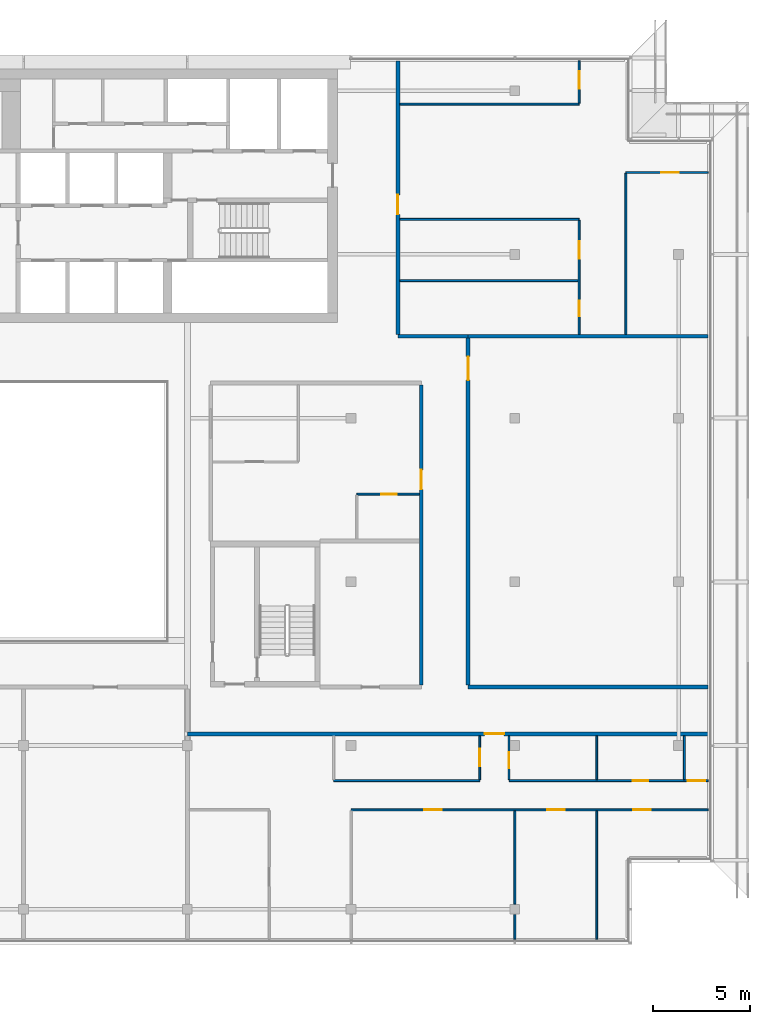
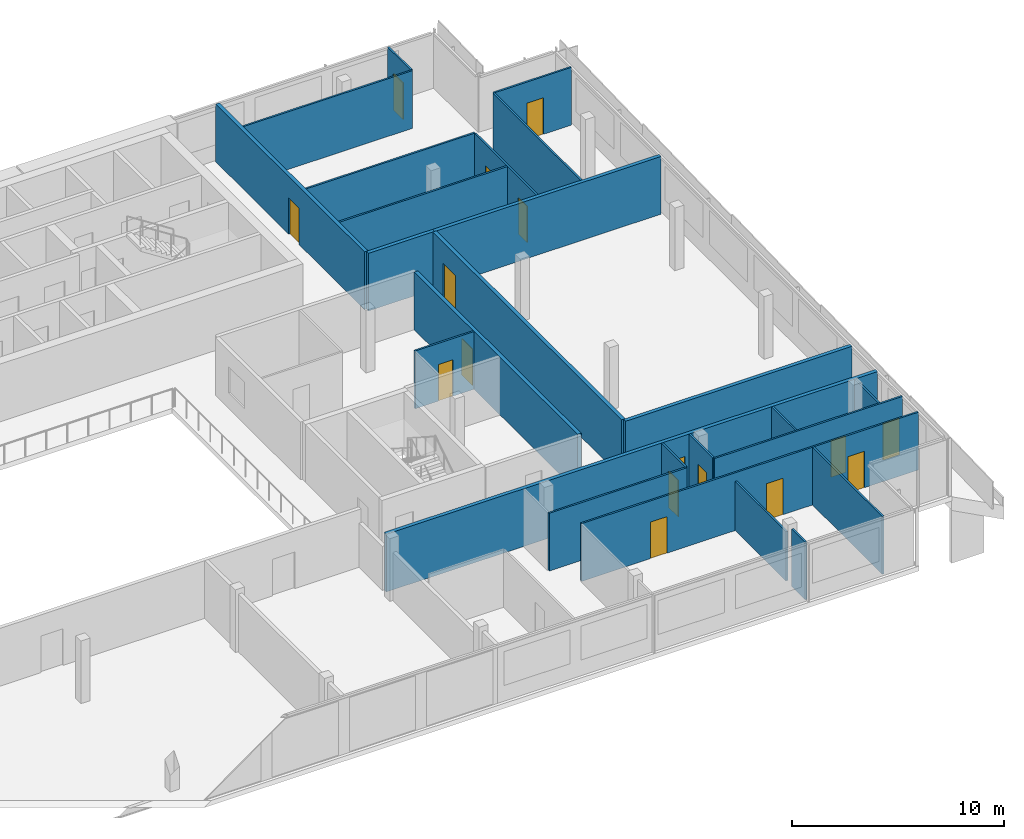
# One storey, part 21 of 27: 25 walls, 16 doors, 16 openings.
"""IFC4 building model written with IfcOpenShell, lengths in metres."""

from ifc_helpers import new_model, si_unit, direction, frame, frame_2d, origin, place, context, subcontext, project, spatial, rectangle, extrude, material, layer, layer_set, type_object, element, fill, save


model = new_model("IFC4")

# Units and contexts
model_context = context("Model", 3, precision=1e-05, world=origin(), true_north=direction((0.0, 1.0)))
body_context = subcontext(model_context, "Body", "Model", "MODEL_VIEW")
ifc_project = project(units=[si_unit("LENGTHUNIT", "METRE"), si_unit("AREAUNIT", "SQUARE_METRE"), si_unit("VOLUMEUNIT", "CUBIC_METRE"), si_unit("PLANEANGLEUNIT", "RADIAN"), si_unit("MASSUNIT", "GRAM", prefix="KILO")], contexts=[model_context])

# Site, building, storey
site_placement = place(None, origin())
site = spatial("IfcSite", under=ifc_project, at=site_placement, CompositionType="ELEMENT")
building_placement = place(site_placement, origin())
building = spatial("IfcBuilding", under=site, at=building_placement, Name="Saffron Gate Tower", CompositionType="ELEMENT")
storey_placement = place(building_placement, frame((0.0, 0.0, 267.14990234375)))
storey = spatial("IfcBuildingStorey", under=building, at=storey_placement, Name="L64", CompositionType="ELEMENT", Elevation=267.14990234375)

# Wall, openings, doors
ifc_material_1 = material(Name="Plasterboard on steel studs", Category="steel")
ifc_layer_1 = layer(ifc_material_1, 0.10009765625)
ifc_layer_set_1 = layer_set([ifc_layer_1], Name="PW1 Partition 100")
wall_type_1 = type_object("IfcWallType", Name="PW1 Partition 100", PredefinedType="PARTITIONING", material=ifc_layer_set_1)
wall_1_placement = place(storey_placement, frame((126.919921875, 36.89990234375, 0.0), z_axis=(0.0, 0.0, 1.0), x_axis=(-1.0, 0.0, 0.0)))
wall_1 = element("IfcWall", 1, at=wall_1_placement, inside=storey, type_object=wall_type_1, Name="Partition E1-6", PredefinedType="PARTITIONING", context=body_context, shape_type="SweptSolid", body=[
    extrude(rectangle(XDim=18.31982421875, YDim=0.10009765625, at=frame_2d((9.159912109375, 0.0))), origin(), (0.0, 0.0, 1.0), 3.320068359375),
])
opening_1_placement = place(wall_1_placement, frame((2.938232421875, 0.0, 0.0)))
opening_1 = element("IfcOpeningElement", 2, at=opening_1_placement, cuts=wall_1, Name="Opening E1-15", PredefinedType="OPENING", context=body_context, shape_type="SweptSolid", body=[
    extrude(rectangle(XDim=0.89990234375, YDim=2.10009765625, at=frame_2d((0.449951171875, 1.050048828125))), frame((0.0, 0.06005859375, 0.0), z_axis=(0.0, -1.0, 0.0), x_axis=(1.0, 0.0, 0.0)), (0.0, 0.0, 1.0), 0.1201171875),
])
opening_2_placement = place(wall_1_placement, frame((7.3701171875, 0.0, 0.0)))
opening_2 = element("IfcOpeningElement", 3, at=opening_2_placement, cuts=wall_1, Name="Opening E1-14", PredefinedType="OPENING", context=body_context, shape_type="SweptSolid", body=[
    extrude(rectangle(XDim=0.89990234375, YDim=2.10009765625, at=frame_2d((0.449951171875, 1.050048828125))), frame((0.0, 0.06005859375, 0.0), z_axis=(0.0, -1.0, 0.0), x_axis=(1.0, 0.0, 0.0)), (0.0, 0.0, 1.0), 0.1201171875),
])
opening_3_placement = place(wall_1_placement, frame((13.669921875, 0.0, 0.0)))
opening_3 = element("IfcOpeningElement", 4, at=opening_3_placement, cuts=wall_1, Name="Opening E1-13", PredefinedType="OPENING", context=body_context, shape_type="SweptSolid", body=[
    extrude(rectangle(XDim=0.89990234375, YDim=2.10009765625, at=frame_2d((0.449951171875, 1.050048828125))), frame((0.0, 0.06005859375, 0.0), z_axis=(0.0, -1.0, 0.0), x_axis=(1.0, 0.0, 0.0)), (0.0, 0.0, 1.0), 0.1201171875),
])
ifc_material_2 = material(Name="Timber door set", Category="wood")
door_type_1 = type_object("IfcDoorType", Name="RD1 Room door 900x2100", OperationType="NOTDEFINED", PredefinedType="DOOR", material=ifc_material_2)
door_1_placement = place(opening_1_placement, origin())
door_1 = element("IfcDoor", 5, at=door_1_placement, inside=storey, type_object=door_type_1, Name="Door E1-15", OperationType="SINGLE_SWING_RIGHT", OverallHeight=2.10009765625, OverallWidth=0.89990234375, PredefinedType="DOOR", context=body_context, shape_type="SweptSolid", body=[
    extrude(rectangle(XDim=0.89990234375, YDim=2.10009765625, at=frame_2d((0.449951171875, 1.050048828125))), frame((0.0, 0.02490234375, 0.0), z_axis=(0.0, -1.0, 0.0), x_axis=(1.0, 0.0, 0.0)), (0.0, 0.0, 1.0), 0.050048828125),
])
fill(opening_1, door_1)
door_2_placement = place(opening_2_placement, origin())
door_2 = element("IfcDoor", 6, at=door_2_placement, inside=storey, type_object=door_type_1, Name="Door E1-14", OperationType="SINGLE_SWING_RIGHT", OverallHeight=2.10009765625, OverallWidth=0.89990234375, PredefinedType="DOOR", context=body_context, shape_type="SweptSolid", body=[
    extrude(rectangle(XDim=0.89990234375, YDim=2.10009765625, at=frame_2d((0.449951171875, 1.050048828125))), frame((0.0, 0.02490234375, 0.0), z_axis=(0.0, -1.0, 0.0), x_axis=(1.0, 0.0, 0.0)), (0.0, 0.0, 1.0), 0.050048828125),
])
fill(opening_2, door_2)
door_3_placement = place(opening_3_placement, origin())
door_3 = element("IfcDoor", 7, at=door_3_placement, inside=storey, type_object=door_type_1, Name="Door E1-13", OperationType="SINGLE_SWING_RIGHT", OverallHeight=2.10009765625, OverallWidth=0.89990234375, PredefinedType="DOOR", context=body_context, shape_type="SweptSolid", body=[
    extrude(rectangle(XDim=0.89990234375, YDim=2.10009765625, at=frame_2d((0.449951171875, 1.050048828125))), frame((0.0, 0.02490234375, 0.0), z_axis=(0.0, -1.0, 0.0), x_axis=(1.0, 0.0, 0.0)), (0.0, 0.0, 1.0), 0.050048828125),
])
fill(opening_3, door_3)

# Wall
wall_2_placement = place(storey_placement, frame((107.699951171875, 38.39990234375, 0.0), z_axis=(0.0, 0.0, 1.0), x_axis=(1.0, 0.0, 0.0)))
element("IfcWall", 8, at=wall_2_placement, inside=storey, type_object=wall_type_1, Name="Partition E1-7", PredefinedType="PARTITIONING", context=body_context, shape_type="SweptSolid", body=[
    extrude(rectangle(XDim=7.5, YDim=0.10009765625, at=frame_2d((3.75, 0.0))), origin(), (0.0, 0.0, 1.0), 3.320068359375),
])

# Wall, openings, doors
wall_3_placement = place(storey_placement, frame((116.699951171875, 38.39990234375, 0.0), z_axis=(0.0, 0.0, 1.0), x_axis=(1.0, 0.0, 0.0)))
wall_3 = element("IfcWall", 9, at=wall_3_placement, inside=storey, type_object=wall_type_1, Name="Partition E1-8", PredefinedType="PARTITIONING", context=body_context, shape_type="SweptSolid", body=[
    extrude(rectangle(XDim=10.219970703125, YDim=0.10009765625, at=frame_2d((5.10986328125, 0.0))), origin(), (0.0, 0.0, 1.0), 3.320068359375),
])
opening_4_placement = place(wall_3_placement, frame((6.35009765625, 0.0, 0.0)))
opening_4 = element("IfcOpeningElement", 10, at=opening_4_placement, cuts=wall_3, Name="Opening E1-29", PredefinedType="OPENING", context=body_context, shape_type="SweptSolid", body=[
    extrude(rectangle(XDim=0.800048828125, YDim=2.10009765625, at=frame_2d((0.39990234375, 1.050048828125))), frame((0.0, 0.06005859375, 0.0), z_axis=(0.0, -1.0, 0.0), x_axis=(1.0, 0.0, 0.0)), (0.0, 0.0, 1.0), 0.1201171875),
])
opening_5_placement = place(wall_3_placement, frame((9.169921875, 0.0, 0.0)))
opening_5 = element("IfcOpeningElement", 11, at=opening_5_placement, cuts=wall_3, Name="Opening E1-17", PredefinedType="OPENING", context=body_context, shape_type="SweptSolid", body=[
    extrude(rectangle(XDim=0.89990234375, YDim=2.10009765625, at=frame_2d((0.449951171875, 1.050048828125))), frame((0.0, 0.06005859375, 0.0), z_axis=(0.0, -1.0, 0.0), x_axis=(1.0, 0.0, 0.0)), (0.0, 0.0, 1.0), 0.1201171875),
])
door_4_placement = place(opening_5_placement, origin())
door_4 = element("IfcDoor", 12, at=door_4_placement, inside=storey, type_object=door_type_1, Name="Door E1-17", OperationType="SINGLE_SWING_RIGHT", OverallHeight=2.10009765625, OverallWidth=0.89990234375, PredefinedType="DOOR", context=body_context, shape_type="SweptSolid", body=[
    extrude(rectangle(XDim=0.89990234375, YDim=2.10009765625, at=frame_2d((0.449951171875, 1.050048828125))), frame((0.0, 0.02490234375, 0.0), z_axis=(0.0, -1.0, 0.0), x_axis=(1.0, 0.0, 0.0)), (0.0, 0.0, 1.0), 0.050048828125),
])
fill(opening_5, door_4)
door_type_2 = type_object("IfcDoorType", Name="RD2 Bathroom door 800x2100", OperationType="NOTDEFINED", PredefinedType="DOOR", material=ifc_material_2)
door_5_placement = place(opening_4_placement, origin())
door_5 = element("IfcDoor", 13, at=door_5_placement, inside=storey, type_object=door_type_2, Name="Door E1-29", OperationType="SINGLE_SWING_LEFT", OverallHeight=2.10009765625, OverallWidth=0.800048828125, PredefinedType="DOOR", context=body_context, shape_type="SweptSolid", body=[
    extrude(rectangle(XDim=0.800048828125, YDim=2.10009765625, at=frame_2d((0.39990234375, 1.050048828125))), frame((0.0, 0.02490234375, 0.0), z_axis=(0.0, -1.0, 0.0), x_axis=(1.0, 0.0, 0.0)), (0.0, 0.0, 1.0), 0.050048828125),
])
fill(opening_4, door_5)

# Wall, opening, door
wall_4_placement = place(storey_placement, frame((112.10009765625, 53.10009765625, 0.0), z_axis=(0.0, 0.0, 1.0), x_axis=(-1.0, 0.0, 0.0)))
wall_4 = element("IfcWall", 14, at=wall_4_placement, inside=storey, type_object=wall_type_1, Name="Partition E1-18", PredefinedType="PARTITIONING", context=body_context, shape_type="SweptSolid", body=[
    extrude(rectangle(XDim=3.2001953125, YDim=0.10009765625, at=frame_2d((1.60009765625, 0.0))), origin(), (0.0, 0.0, 1.0), 3.320068359375),
])
opening_6_placement = place(wall_4_placement, frame((1.14990234375, 0.0, 0.0)))
opening_6 = element("IfcOpeningElement", 15, at=opening_6_placement, cuts=wall_4, Name="Opening E1-34", PredefinedType="OPENING", context=body_context, shape_type="SweptSolid", body=[
    extrude(rectangle(XDim=0.800048828125, YDim=2.10009765625, at=frame_2d((0.39990234375, 1.050048828125))), frame((0.0, 0.06005859375, 0.0), z_axis=(0.0, -1.0, 0.0), x_axis=(1.0, 0.0, 0.0)), (0.0, 0.0, 1.0), 0.1201171875),
])
door_6_placement = place(opening_6_placement, origin())
door_6 = element("IfcDoor", 16, at=door_6_placement, inside=storey, type_object=door_type_2, Name="Door E1-34", OperationType="SINGLE_SWING_LEFT", OverallHeight=2.10009765625, OverallWidth=0.800048828125, PredefinedType="DOOR", context=body_context, shape_type="SweptSolid", body=[
    extrude(rectangle(XDim=0.800048828125, YDim=2.10009765625, at=frame_2d((0.39990234375, 1.050048828125))), frame((0.0, 0.02490234375, 0.0), z_axis=(0.0, -1.0, 0.0), x_axis=(1.0, 0.0, 0.0)), (0.0, 0.0, 1.0), 0.050048828125),
])
fill(opening_6, door_6)

# Walls
wall_5_placement = place(storey_placement, frame((111.10009765625, 64.049560546875, 0.0), z_axis=(0.0, 0.0, 1.0), x_axis=(1.0, 0.0, 0.0)))
element("IfcWall", 17, at=wall_5_placement, inside=storey, type_object=wall_type_1, Name="Partition E1-28", PredefinedType="PARTITIONING", context=body_context, shape_type="SweptSolid", body=[
    extrude(rectangle(XDim=9.14990234375, YDim=0.10009765625, at=frame_2d((4.574951171875, 0.0))), origin(), (0.0, 0.0, 1.0), 3.320068359375),
])
wall_6_placement = place(storey_placement, frame((111.10009765625, 67.199951171875, 0.0), z_axis=(0.0, 0.0, 1.0), x_axis=(1.0, 0.0, 0.0)))
element("IfcWall", 18, at=wall_6_placement, inside=storey, type_object=wall_type_1, Name="Partition E1-33", PredefinedType="PARTITIONING", context=body_context, shape_type="SweptSolid", body=[
    extrude(rectangle(XDim=9.199951171875, YDim=0.10009765625, at=frame_2d((4.60009765625, 0.0))), origin(), (0.0, 0.0, 1.0), 3.320068359375),
])

# Wall, opening, door
wall_7_placement = place(storey_placement, frame((126.919921875, 69.60009765625, 0.0), z_axis=(0.0, 0.0, 1.0), x_axis=(-1.0, 0.0, 0.0)))
wall_7 = element("IfcWall", 19, at=wall_7_placement, inside=storey, type_object=wall_type_1, Name="Partition E1-35", PredefinedType="PARTITIONING", context=body_context, shape_type="SweptSolid", body=[
    extrude(rectangle(XDim=4.219970703125, YDim=0.10009765625, at=frame_2d((2.10986328125, 0.0))), origin(), (0.0, 0.0, 1.0), 3.320068359375),
])
opening_7_placement = place(wall_7_placement, frame((1.52001953125, 0.0, 0.0)))
opening_7 = element("IfcOpeningElement", 20, at=opening_7_placement, cuts=wall_7, Name="Opening E1-21", PredefinedType="OPENING", context=body_context, shape_type="SweptSolid", body=[
    extrude(rectangle(XDim=0.89990234375, YDim=2.10009765625, at=frame_2d((0.449951171875, 1.050048828125))), frame((0.0, 0.06005859375, 0.0), z_axis=(0.0, -1.0, 0.0), x_axis=(1.0, 0.0, 0.0)), (0.0, 0.0, 1.0), 0.1201171875),
])
door_7_placement = place(opening_7_placement, origin())
door_7 = element("IfcDoor", 21, at=door_7_placement, inside=storey, type_object=door_type_1, Name="Door E1-21", OperationType="SINGLE_SWING_LEFT", OverallHeight=2.10009765625, OverallWidth=0.89990234375, PredefinedType="DOOR", context=body_context, shape_type="SweptSolid", body=[
    extrude(rectangle(XDim=0.89990234375, YDim=2.10009765625, at=frame_2d((0.449951171875, 1.050048828125))), frame((0.0, 0.02490234375, 0.0), z_axis=(0.0, -1.0, 0.0), x_axis=(1.0, 0.0, 0.0)), (0.0, 0.0, 1.0), 0.050048828125),
])
fill(opening_7, door_7)

# Wall
wall_8_placement = place(storey_placement, frame((111.10009765625, 73.108642578125, 0.0), z_axis=(0.0, 0.0, 1.0), x_axis=(1.0, 0.0, 0.0)))
element("IfcWall", 22, at=wall_8_placement, inside=storey, type_object=wall_type_1, Name="Partition E1-36", PredefinedType="PARTITIONING", context=body_context, shape_type="SweptSolid", body=[
    extrude(rectangle(XDim=9.199951171875, YDim=0.10009765625, at=frame_2d((4.60009765625, 0.0))), origin(), (0.0, 0.0, 1.0), 3.320068359375),
])

# Wall, opening, door
wall_9_placement = place(storey_placement, frame((115.199951171875, 38.449951171875, 0.0), z_axis=(0.0, 0.0, 1.0), x_axis=(0.0, 1.0, 0.0)))
wall_9 = element("IfcWall", 23, at=wall_9_placement, inside=storey, type_object=wall_type_1, Name="Partition E1-79", PredefinedType="PARTITIONING", context=body_context, shape_type="SweptSolid", body=[
    extrude(rectangle(XDim=2.25, YDim=0.10009765625, at=frame_2d((1.125, 0.0))), origin(), (0.0, 0.0, 1.0), 3.320068359375),
])
opening_8_placement = place(wall_9_placement, frame((0.699951171875, 0.0, 0.0)))
opening_8 = element("IfcOpeningElement", 24, at=opening_8_placement, cuts=wall_9, Name="Opening E1-16", PredefinedType="OPENING", context=body_context, shape_type="SweptSolid", body=[
    extrude(rectangle(XDim=0.89990234375, YDim=2.10009765625, at=frame_2d((0.449951171875, 1.050048828125))), frame((0.0, 0.06005859375, 0.0), z_axis=(0.0, -1.0, 0.0), x_axis=(1.0, 0.0, 0.0)), (0.0, 0.0, 1.0), 0.1201171875),
])
door_8_placement = place(opening_8_placement, origin())
door_8 = element("IfcDoor", 25, at=door_8_placement, inside=storey, type_object=door_type_1, Name="Door E1-16", OperationType="SINGLE_SWING_RIGHT", OverallHeight=2.10009765625, OverallWidth=0.89990234375, PredefinedType="DOOR", context=body_context, shape_type="SweptSolid", body=[
    extrude(rectangle(XDim=0.89990234375, YDim=2.10009765625, at=frame_2d((0.449951171875, 1.050048828125))), frame((0.0, 0.02490234375, 0.0), z_axis=(0.0, -1.0, 0.0), x_axis=(1.0, 0.0, 0.0)), (0.0, 0.0, 1.0), 0.050048828125),
])
fill(opening_8, door_8)

wall_10_placement = place(storey_placement, frame((116.699951171875, 40.699951171875, 0.0), z_axis=(0.0, 0.0, 1.0), x_axis=(0.0, -1.0, 0.0)))
wall_10 = element("IfcWall", 26, at=wall_10_placement, inside=storey, type_object=wall_type_1, Name="Partition E1-80", PredefinedType="PARTITIONING", context=body_context, shape_type="SweptSolid", body=[
    extrude(rectangle(XDim=2.25, YDim=0.10009765625, at=frame_2d((1.125, 0.0))), origin(), (0.0, 0.0, 1.0), 3.320068359375),
])
opening_9_placement = place(wall_10_placement, frame((0.85009765625, 0.0, 0.0)))
opening_9 = element("IfcOpeningElement", 27, at=opening_9_placement, cuts=wall_10, Name="Opening E1-28", PredefinedType="OPENING", context=body_context, shape_type="SweptSolid", body=[
    extrude(rectangle(XDim=0.800048828125, YDim=2.10009765625, at=frame_2d((0.39990234375, 1.050048828125))), frame((0.0, 0.06005859375, 0.0), z_axis=(0.0, -1.0, 0.0), x_axis=(1.0, 0.0, 0.0)), (0.0, 0.0, 1.0), 0.1201171875),
])
door_9_placement = place(opening_9_placement, origin())
door_9 = element("IfcDoor", 28, at=door_9_placement, inside=storey, type_object=door_type_2, Name="Door E1-28", OperationType="SINGLE_SWING_RIGHT", OverallHeight=2.10009765625, OverallWidth=0.800048828125, PredefinedType="DOOR", context=body_context, shape_type="SweptSolid", body=[
    extrude(rectangle(XDim=0.800048828125, YDim=2.10009765625, at=frame_2d((0.39990234375, 1.050048828125))), frame((0.0, 0.02490234375, 0.0), z_axis=(0.0, -1.0, 0.0), x_axis=(1.0, 0.0, 0.0)), (0.0, 0.0, 1.0), 0.050048828125),
])
fill(opening_9, door_9)

# Walls
wall_11_placement = place(storey_placement, frame((117.0, 31.530029296875, 0.0), z_axis=(0.0, 0.0, 1.0), x_axis=(0.0, -1.0, 0.0)))
element("IfcWall", 29, at=wall_11_placement, inside=storey, type_object=wall_type_1, Name="Partition E1-81", PredefinedType="PARTITIONING", context=body_context, shape_type="SweptSolid", body=[
    extrude(rectangle(XDim=1.25, YDim=0.10009765625, at=frame_2d((0.625, 0.0))), origin(), (0.0, 0.0, 1.0), 3.320068359375),
])
wall_12_placement = place(storey_placement, frame((117.0, 36.85009765625, 0.0), z_axis=(0.0, 0.0, 1.0), x_axis=(0.0, -1.0, 0.0)))
element("IfcWall", 30, at=wall_12_placement, inside=storey, type_object=wall_type_1, Name="Partition E1-82", PredefinedType="PARTITIONING", context=body_context, shape_type="SweptSolid", body=[
    extrude(rectangle(XDim=4.780029296875, YDim=0.10009765625, at=frame_2d((2.39013671875, 0.0))), origin(), (0.0, 0.0, 1.0), 2.830078125),
])

# Wall, openings, doors
wall_13_placement = place(storey_placement, frame((120.300048828125, 61.300048828125, 0.0), z_axis=(0.0, 0.0, 1.0), x_axis=(0.0, 1.0, 0.0)))
wall_13 = element("IfcWall", 31, at=wall_13_placement, inside=storey, type_object=wall_type_1, Name="Partition E1-83", PredefinedType="PARTITIONING", context=body_context, shape_type="SweptSolid", body=[
    extrude(rectangle(XDim=5.849853515625, YDim=0.10009765625, at=frame_2d((2.9248046875, 0.0))), origin(), (0.0, 0.0, 1.0), 3.320068359375),
])
opening_10_placement = place(wall_13_placement, frame((0.9248046875, 0.0, 0.0)))
opening_10 = element("IfcOpeningElement", 32, at=opening_10_placement, cuts=wall_13, Name="Opening E1-32", PredefinedType="OPENING", context=body_context, shape_type="SweptSolid", body=[
    extrude(rectangle(XDim=0.800048828125, YDim=2.10009765625, at=frame_2d((0.39990234375, 1.050048828125))), frame((0.0, 0.06005859375, 0.0), z_axis=(0.0, -1.0, 0.0), x_axis=(1.0, 0.0, 0.0)), (0.0, 0.0, 1.0), 0.1201171875),
])
opening_11_placement = place(wall_13_placement, frame((3.874755859375, 0.0, 0.0)))
opening_11 = element("IfcOpeningElement", 33, at=opening_11_placement, cuts=wall_13, Name="Opening E1-23", PredefinedType="OPENING", context=body_context, shape_type="SweptSolid", body=[
    extrude(rectangle(XDim=0.89990234375, YDim=2.10009765625, at=frame_2d((0.449951171875, 1.050048828125))), frame((0.0, 0.06005859375, 0.0), z_axis=(0.0, -1.0, 0.0), x_axis=(1.0, 0.0, 0.0)), (0.0, 0.0, 1.0), 0.1201171875),
])
door_10_placement = place(opening_11_placement, origin())
door_10 = element("IfcDoor", 34, at=door_10_placement, inside=storey, type_object=door_type_1, Name="Door E1-23", OperationType="SINGLE_SWING_RIGHT", OverallHeight=2.10009765625, OverallWidth=0.89990234375, PredefinedType="DOOR", context=body_context, shape_type="SweptSolid", body=[
    extrude(rectangle(XDim=0.89990234375, YDim=2.10009765625, at=frame_2d((0.449951171875, 1.050048828125))), frame((0.0, 0.02490234375, 0.0), z_axis=(0.0, -1.0, 0.0), x_axis=(1.0, 0.0, 0.0)), (0.0, 0.0, 1.0), 0.050048828125),
])
fill(opening_11, door_10)
door_11_placement = place(opening_10_placement, origin())
door_11 = element("IfcDoor", 35, at=door_11_placement, inside=storey, type_object=door_type_2, Name="Door E1-32", OperationType="SINGLE_SWING_LEFT", OverallHeight=2.10009765625, OverallWidth=0.800048828125, PredefinedType="DOOR", context=body_context, shape_type="SweptSolid", body=[
    extrude(rectangle(XDim=0.800048828125, YDim=2.10009765625, at=frame_2d((0.39990234375, 1.050048828125))), frame((0.0, 0.02490234375, 0.0), z_axis=(0.0, -1.0, 0.0), x_axis=(1.0, 0.0, 0.0)), (0.0, 0.0, 1.0), 0.050048828125),
])
fill(opening_10, door_11)

# Wall, opening, door
wall_14_placement = place(storey_placement, frame((120.300048828125, 73.15869140625, 0.0), z_axis=(0.0, 0.0, 1.0), x_axis=(0.0, 1.0, 0.0)))
wall_14 = element("IfcWall", 36, at=wall_14_placement, inside=storey, type_object=wall_type_1, Name="Partition E1-84", PredefinedType="PARTITIONING", context=body_context, shape_type="SweptSolid", body=[
    extrude(rectangle(XDim=2.161376953125, YDim=0.10009765625, at=frame_2d((1.08056640625, 0.0))), origin(), (0.0, 0.0, 1.0), 3.320068359375),
])
opening_12_placement = place(wall_14_placement, frame((0.74560546875, 0.0, 0.0)))
opening_12 = element("IfcOpeningElement", 37, at=opening_12_placement, cuts=wall_14, Name="Opening E1-22", PredefinedType="OPENING", context=body_context, shape_type="SweptSolid", body=[
    extrude(rectangle(XDim=0.89990234375, YDim=2.10009765625, at=frame_2d((0.449951171875, 1.050048828125))), frame((0.0, 0.06005859375, 0.0), z_axis=(0.0, -1.0, 0.0), x_axis=(1.0, 0.0, 0.0)), (0.0, 0.0, 1.0), 0.1201171875),
])
door_12_placement = place(opening_12_placement, origin())
door_12 = element("IfcDoor", 38, at=door_12_placement, inside=storey, type_object=door_type_1, Name="Door E1-22", OperationType="SINGLE_SWING_RIGHT", OverallHeight=2.10009765625, OverallWidth=0.89990234375, PredefinedType="DOOR", context=body_context, shape_type="SweptSolid", body=[
    extrude(rectangle(XDim=0.89990234375, YDim=2.10009765625, at=frame_2d((0.449951171875, 1.050048828125))), frame((0.0, 0.02490234375, 0.0), z_axis=(0.0, -1.0, 0.0), x_axis=(1.0, 0.0, 0.0)), (0.0, 0.0, 1.0), 0.050048828125),
])
fill(opening_12, door_12)

# Walls
wall_15_placement = place(storey_placement, frame((121.199951171875, 36.85009765625, 0.0), z_axis=(0.0, 0.0, 1.0), x_axis=(0.0, -1.0, 0.0)))
element("IfcWall", 39, at=wall_15_placement, inside=storey, type_object=wall_type_1, Name="Partition E1-85", PredefinedType="PARTITIONING", context=body_context, shape_type="SweptSolid", body=[
    extrude(rectangle(XDim=6.570068359375, YDim=0.10009765625, at=frame_2d((3.28515625, 0.0))), origin(), (0.0, 0.0, 1.0), 3.320068359375),
])
wall_16_placement = place(storey_placement, frame((121.199951171875, 40.699951171875, 0.0), z_axis=(0.0, 0.0, 1.0), x_axis=(0.0, -1.0, 0.0)))
element("IfcWall", 40, at=wall_16_placement, inside=storey, type_object=wall_type_1, Name="Partition E1-86", PredefinedType="PARTITIONING", context=body_context, shape_type="SweptSolid", body=[
    extrude(rectangle(XDim=2.25, YDim=0.10009765625, at=frame_2d((1.125, 0.0))), origin(), (0.0, 0.0, 1.0), 3.320068359375),
])
wall_17_placement = place(storey_placement, frame((122.699951171875, 69.550048828125, 0.0), z_axis=(0.0, 0.0, 1.0), x_axis=(0.0, -1.0, 0.0)))
element("IfcWall", 41, at=wall_17_placement, inside=storey, type_object=wall_type_1, Name="Partition E1-87", PredefinedType="PARTITIONING", context=body_context, shape_type="SweptSolid", body=[
    extrude(rectangle(XDim=8.25, YDim=0.10009765625, at=frame_2d((4.125, 0.0))), origin(), (0.0, 0.0, 1.0), 3.320068359375),
])
wall_18_placement = place(storey_placement, frame((125.699951171875, 40.699951171875, 0.0), z_axis=(0.0, 0.0, 1.0), x_axis=(0.0, -1.0, 0.0)))
element("IfcWall", 42, at=wall_18_placement, inside=storey, type_object=wall_type_1, Name="Partition E1-88", PredefinedType="PARTITIONING", context=body_context, shape_type="SweptSolid", body=[
    extrude(rectangle(XDim=2.25, YDim=0.10009765625, at=frame_2d((1.125, 0.0))), origin(), (0.0, 0.0, 1.0), 3.320068359375),
])

# Wall, opening, door
ifc_material_3 = material(Name="Clay brick masonry, rendered", Category="masonry")
ifc_layer_2 = layer(ifc_material_3, 0.199951171875)
ifc_layer_set_2 = layer_set([ifc_layer_2], Name="PW3 Corridor wall 200")
wall_type_2 = type_object("IfcWallType", Name="PW3 Corridor wall 200", PredefinedType="PARTITIONING", material=ifc_layer_set_2)
wall_19_placement = place(storey_placement, frame((126.919921875, 40.800048828125, 0.0), z_axis=(0.0, 0.0, 1.0), x_axis=(-1.0, 0.0, 0.0)))
wall_19 = element("IfcWall", 43, at=wall_19_placement, inside=storey, type_object=wall_type_2, Name="Wall E1-10", PredefinedType="PARTITIONING", context=body_context, shape_type="SweptSolid", body=[
    extrude(rectangle(XDim=26.719970703125, YDim=0.199951171875, at=frame_2d((13.35986328125, 0.0))), origin(), (0.0, 0.0, 1.0), 3.320068359375),
])
opening_13_placement = place(wall_19_placement, frame((10.469970703125, 0.0, 0.0)))
opening_13 = element("IfcOpeningElement", 44, at=opening_13_placement, cuts=wall_19, Name="Opening E1-2", PredefinedType="OPENING", context=body_context, shape_type="SweptSolid", body=[
    extrude(rectangle(XDim=1.0, YDim=2.10009765625, at=frame_2d((0.5, 1.050048828125))), frame((0.0, 0.10986328125, 0.0), z_axis=(0.0, -1.0, 0.0), x_axis=(1.0, 0.0, 0.0)), (0.0, 0.0, 1.0), 0.219970703125),
])
ifc_material_4 = material(Name="Timber fire door set", Category="wood")
door_type_3 = type_object("IfcDoorType", Name="FD1 Flat entry door 1000x2100", OperationType="NOTDEFINED", PredefinedType="DOOR", material=ifc_material_4)
door_13_placement = place(opening_13_placement, origin())
door_13 = element("IfcDoor", 45, at=door_13_placement, inside=storey, type_object=door_type_3, Name="Door E1-2", OperationType="SINGLE_SWING_RIGHT", OverallHeight=2.10009765625, OverallWidth=1.0, PredefinedType="DOOR", context=body_context, shape_type="SweptSolid", body=[
    extrude(rectangle(XDim=1.0, YDim=2.10009765625, at=frame_2d((0.5, 1.050048828125))), frame((0.0, 0.02490234375, 0.0), z_axis=(0.0, -1.0, 0.0), x_axis=(1.0, 0.0, 0.0)), (0.0, 0.0, 1.0), 0.050048828125),
])
fill(opening_13, door_13)

# Walls
wall_20_placement = place(storey_placement, frame((114.60009765625, 43.199951171875, 0.0), z_axis=(0.0, 0.0, 1.0), x_axis=(1.0, 0.0, 0.0)))
element("IfcWall", 46, at=wall_20_placement, inside=storey, type_object=wall_type_2, Name="Wall E1-15", PredefinedType="PARTITIONING", context=body_context, shape_type="SweptSolid", body=[
    extrude(rectangle(XDim=12.31982421875, YDim=0.199951171875, at=frame_2d((6.159912109375, 0.0))), origin(), (0.0, 0.0, 1.0), 3.320068359375),
])
wall_21_placement = place(storey_placement, frame((111.0, 61.199951171875, 0.0), z_axis=(0.0, 0.0, 1.0), x_axis=(1.0, 0.0, 0.0)))
element("IfcWall", 47, at=wall_21_placement, inside=storey, type_object=wall_type_2, Name="Wall E1-25", PredefinedType="PARTITIONING", context=body_context, shape_type="SweptSolid", body=[
    extrude(rectangle(XDim=3.60009765625, YDim=0.199951171875, at=frame_2d((1.800048828125, 0.0))), origin(), (0.0, 0.0, 1.0), 3.320068359375),
])

# Wall, opening, door
wall_22_placement = place(storey_placement, frame((111.0, 75.320068359375, 0.0), z_axis=(0.0, 0.0, 1.0), x_axis=(0.0, -1.0, 0.0)))
wall_22 = element("IfcWall", 48, at=wall_22_placement, inside=storey, type_object=wall_type_2, Name="Wall E1-76", PredefinedType="PARTITIONING", context=body_context, shape_type="SweptSolid", body=[
    extrude(rectangle(XDim=14.02001953125, YDim=0.199951171875, at=frame_2d((7.010009765625, 0.0))), origin(), (0.0, 0.0, 1.0), 3.320068359375),
])
opening_14_placement = place(wall_22_placement, frame((6.8701171875, 0.0, 0.0)))
opening_14 = element("IfcOpeningElement", 49, at=opening_14_placement, cuts=wall_22, Name="Opening E1-4", PredefinedType="OPENING", context=body_context, shape_type="SweptSolid", body=[
    extrude(rectangle(XDim=1.0, YDim=2.10009765625, at=frame_2d((0.5, 1.050048828125))), frame((0.0, 0.10986328125, 0.0), z_axis=(0.0, -1.0, 0.0), x_axis=(1.0, 0.0, 0.0)), (0.0, 0.0, 1.0), 0.219970703125),
])
door_14_placement = place(opening_14_placement, origin())
door_14 = element("IfcDoor", 50, at=door_14_placement, inside=storey, type_object=door_type_3, Name="Door E1-4", OperationType="SINGLE_SWING_RIGHT", OverallHeight=2.10009765625, OverallWidth=1.0, PredefinedType="DOOR", context=body_context, shape_type="SweptSolid", body=[
    extrude(rectangle(XDim=1.0, YDim=2.10009765625, at=frame_2d((0.5, 1.050048828125))), frame((0.0, 0.02490234375, 0.0), z_axis=(0.0, -1.0, 0.0), x_axis=(1.0, 0.0, 0.0)), (0.0, 0.0, 1.0), 0.050048828125),
])
fill(opening_14, door_14)

wall_23_placement = place(storey_placement, frame((112.199951171875, 43.300048828125, 0.0), z_axis=(0.0, 0.0, 1.0), x_axis=(0.0, 1.0, 0.0)))
wall_23 = element("IfcWall", 51, at=wall_23_placement, inside=storey, type_object=wall_type_2, Name="Wall E1-77", PredefinedType="PARTITIONING", context=body_context, shape_type="SweptSolid", body=[
    extrude(rectangle(XDim=15.39990234375, YDim=0.199951171875, at=frame_2d((7.699951171875, 0.0))), origin(), (0.0, 0.0, 1.0), 3.320068359375),
])
opening_15_placement = place(wall_23_placement, frame((10.050048828125, 0.0, 0.0)))
opening_15 = element("IfcOpeningElement", 52, at=opening_15_placement, cuts=wall_23, Name="Opening E1-6", PredefinedType="OPENING", context=body_context, shape_type="SweptSolid", body=[
    extrude(rectangle(XDim=1.0, YDim=2.10009765625, at=frame_2d((0.5, 1.050048828125))), frame((0.0, 0.10986328125, 0.0), z_axis=(0.0, -1.0, 0.0), x_axis=(1.0, 0.0, 0.0)), (0.0, 0.0, 1.0), 0.219970703125),
])
door_15_placement = place(opening_15_placement, origin())
door_15 = element("IfcDoor", 53, at=door_15_placement, inside=storey, type_object=door_type_3, Name="Door E1-6", OperationType="SINGLE_SWING_RIGHT", OverallHeight=2.10009765625, OverallWidth=1.0, PredefinedType="DOOR", context=body_context, shape_type="SweptSolid", body=[
    extrude(rectangle(XDim=1.0, YDim=2.10009765625, at=frame_2d((0.5, 1.050048828125))), frame((0.0, 0.02490234375, 0.0), z_axis=(0.0, -1.0, 0.0), x_axis=(1.0, 0.0, 0.0)), (0.0, 0.0, 1.0), 0.050048828125),
])
fill(opening_15, door_15)

wall_24_placement = place(storey_placement, frame((114.60009765625, 61.10009765625, 0.0), z_axis=(0.0, 0.0, 1.0), x_axis=(0.0, -1.0, 0.0)))
wall_24 = element("IfcWall", 54, at=wall_24_placement, inside=storey, type_object=wall_type_2, Name="Wall E1-78", PredefinedType="PARTITIONING", context=body_context, shape_type="SweptSolid", body=[
    extrude(rectangle(XDim=17.800048828125, YDim=0.199951171875, at=frame_2d((8.89990234375, 0.0))), origin(), (0.0, 0.0, 1.0), 3.320068359375),
])
opening_16_placement = place(wall_24_placement, frame((0.949951171875, 0.0, 0.0)))
opening_16 = element("IfcOpeningElement", 55, at=opening_16_placement, cuts=wall_24, Name="Opening E1-37", PredefinedType="OPENING", context=body_context, shape_type="SweptSolid", body=[
    extrude(rectangle(XDim=1.199951171875, YDim=2.10009765625, at=frame_2d((0.60009765625, 1.050048828125))), frame((0.0, 0.10986328125, 0.0), z_axis=(0.0, -1.0, 0.0), x_axis=(1.0, 0.0, 0.0)), (0.0, 0.0, 1.0), 0.219970703125),
])
door_type_4 = type_object("IfcDoorType", Name="HD1 Hall door 1200x2100", OperationType="NOTDEFINED", PredefinedType="DOOR", material=ifc_material_2)
door_16_placement = place(opening_16_placement, origin())
door_16 = element("IfcDoor", 56, at=door_16_placement, inside=storey, type_object=door_type_4, Name="Door E1-37", OperationType="SINGLE_SWING_RIGHT", OverallHeight=2.10009765625, OverallWidth=1.199951171875, PredefinedType="DOOR", context=body_context, shape_type="SweptSolid", body=[
    extrude(rectangle(XDim=1.199951171875, YDim=2.10009765625, at=frame_2d((0.60009765625, 1.050048828125))), frame((0.0, 0.02490234375, 0.0), z_axis=(0.0, -1.0, 0.0), x_axis=(1.0, 0.0, 0.0)), (0.0, 0.0, 1.0), 0.050048828125),
])
fill(opening_16, door_16)

# Wall
ifc_layer_3 = layer(ifc_material_3, 0.199951171875)
ifc_layer_set_3 = layer_set([ifc_layer_3], Name="PW5 Room wall 200")
wall_type_3 = type_object("IfcWallType", Name="PW5 Room wall 200", PredefinedType="PARTITIONING", material=ifc_layer_set_3)
wall_25_placement = place(storey_placement, frame((114.60009765625, 61.199951171875, 0.0), z_axis=(0.0, 0.0, 1.0), x_axis=(1.0, 0.0, 0.0)))
element("IfcWall", 57, at=wall_25_placement, inside=storey, type_object=wall_type_3, Name="Wall E1-27", PredefinedType="PARTITIONING", context=body_context, shape_type="SweptSolid", body=[
    extrude(rectangle(XDim=12.31982421875, YDim=0.199951171875, at=frame_2d((6.159912109375, 0.0))), origin(), (0.0, 0.0, 1.0), 3.320068359375),
])

save(model, "model.ifc")
